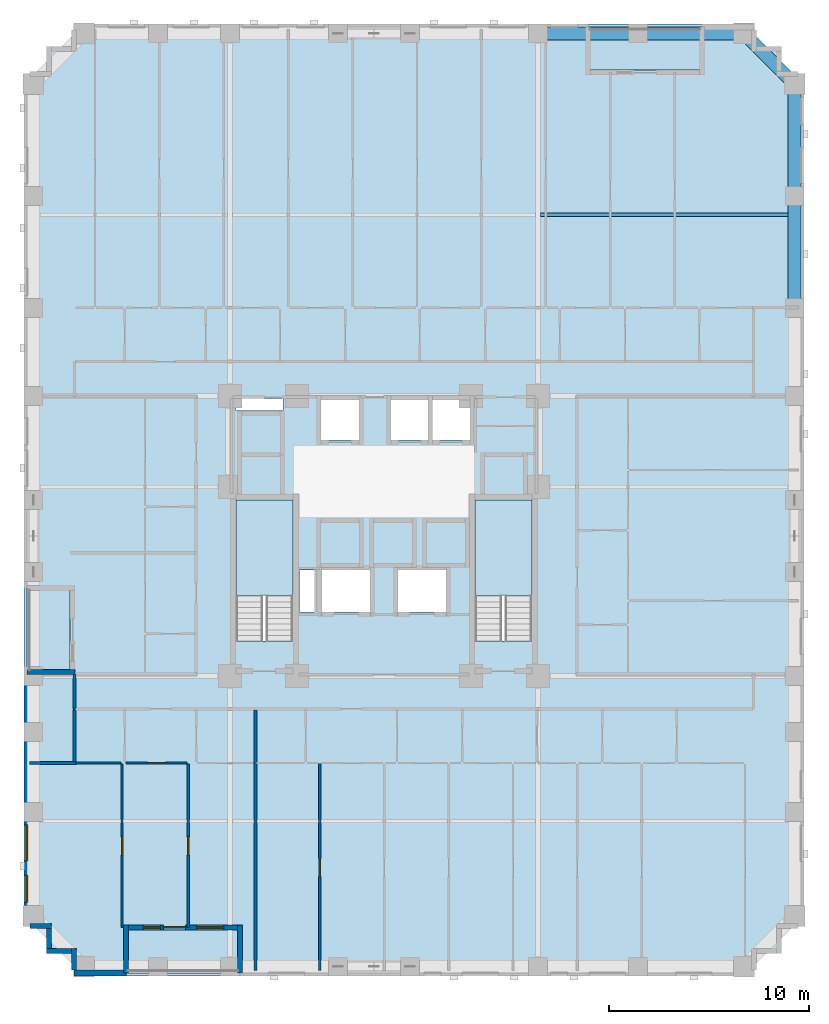
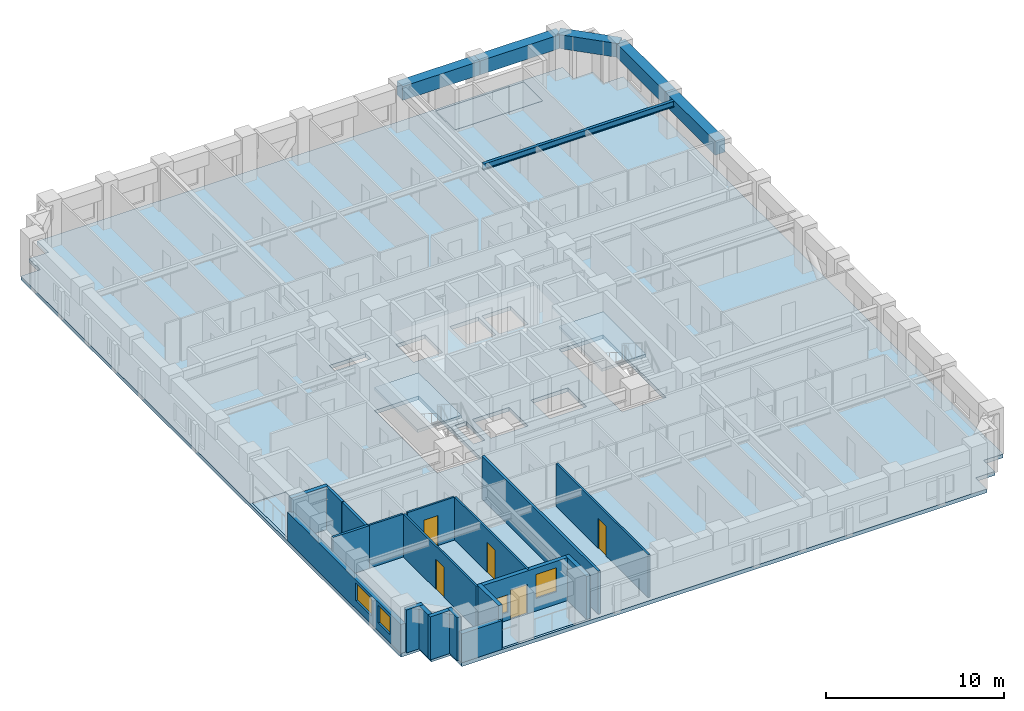
# One storey, part 2 of 14: 19 walls, 6 beams, 6 slabs, 5 doors, 4 windows, 9 openings, 2 elements without a shape of their own.
"""IFC4 building model written with IfcOpenShell, lengths in metres."""

from ifc_helpers import new_model, si_unit, derived_unit, direction, frame, frame_2d, origin, origin_2d, place, context, subcontext, project, spatial, polyline, rectangle, i_section, outline, extrude, material, layer, layer_set, material_profile, profile_set, type_object, element, fill, aggregate, save


model = new_model("IFC4")

# Units and contexts
model_context = context("Model", 3, precision=1e-05, world=origin(), true_north=direction((0.0, 1.0)))
body_context = subcontext(model_context, "Body", "Model", "MODEL_VIEW")
ifc_project = project(units=[si_unit("LENGTHUNIT", "METRE"), si_unit("AREAUNIT", "SQUARE_METRE"), si_unit("VOLUMEUNIT", "CUBIC_METRE"), si_unit("PLANEANGLEUNIT", "RADIAN"), si_unit("MASSUNIT", "GRAM", prefix="KILO"), derived_unit("THERMALTRANSMITTANCEUNIT", [(si_unit("MASSUNIT", "GRAM", prefix="KILO"), 1), (si_unit("TIMEUNIT", "SECOND"), -3), (si_unit("THERMODYNAMICTEMPERATUREUNIT", "KELVIN"), -1)])], contexts=[model_context])

# Site, building, storey
site_placement = place(None, origin())
site = spatial("IfcSite", under=ifc_project, at=site_placement, CompositionType="ELEMENT")
building_placement = place(site_placement, origin())
building = spatial("IfcBuilding", under=site, at=building_placement, Name="Korrvale Station Residences", CompositionType="ELEMENT")
storey_placement = place(building_placement, frame((0.0, 0.0, 38.60009765625)))
storey = spatial("IfcBuildingStorey", under=building, at=storey_placement, Name="L09", CompositionType="ELEMENT", Elevation=38.60009765625)

# Beams
ifc_material_1 = material(Name="Steel S355", Category="steel")
ifc_material_profile_1 = material_profile(ifc_material_1, i_section(OverallWidth=0.180908203125, OverallDepth=0.4169921875, WebThickness=0.010986328125, FlangeThickness=0.018310546875, FilletRadius=0.01611328125, at=origin_2d()), Name="W410x85")
ifc_profile_set_1 = profile_set([ifc_material_profile_1], Name="Steel S355")
beam_type_1 = type_object("IfcBeamType", Name="BM-JST-W410x85-S355", PredefinedType="JOIST", material=ifc_profile_set_1)
beam_1_placement = place(storey_placement, frame((33.333984375, 38.06005859375, 2.7314453125), z_axis=(1.0, 0.0, 0.0), x_axis=(0.0, 1.0, 0.0)))
element("IfcBeam", 1, at=beam_1_placement, inside=storey, type_object=beam_type_1, Name="L09 Floor Framing Joist 06", PredefinedType="JOIST", context=body_context, shape_type="SweptSolid", body=[
    extrude(i_section(OverallWidth=0.180908203125, OverallDepth=0.4169921875, WebThickness=0.010986328125, FlangeThickness=0.018310546875, FilletRadius=0.01611328125, at=origin_2d()), origin(), (0.0, 0.0, 1.0), 12.361083984375),
])
ifc_material_2 = material(Name="Concrete C70/85", Category="concrete")
ifc_material_profile_2 = material_profile(ifc_material_2, rectangle(XDim=0.64990234375, YDim=0.949951171875, at=origin_2d()), Name="RCB650x950")
ifc_profile_set_2 = profile_set([ifc_material_profile_2], Name="Concrete C70/85")
beam_type_2 = type_object("IfcBeamType", Name="BM-SPB-RCB650x950-C7085", PredefinedType="SPANDREL", material=ifc_profile_set_2)
beam_2_placement = place(storey_placement, frame((33.199951171875, 47.1201171875, 2.46484375), z_axis=(1.0, 0.0, 0.0), x_axis=(0.0, 1.0, 0.0)))
element("IfcBeam", 2, at=beam_2_placement, inside=storey, type_object=beam_type_2, Name="L09 North Tube Spandrel 13", PredefinedType="SPANDREL", context=body_context, shape_type="SweptSolid", body=[
    extrude(rectangle(XDim=0.64990234375, YDim=0.949951171875, at=origin_2d()), origin(), (0.0, 0.0, 1.0), 5.0),
])
beam_3_placement = place(storey_placement, frame((38.199951171875, 47.1201171875, 2.46484375), z_axis=(1.0, 0.0, 0.0), x_axis=(0.0, 1.0, 0.0)))
element("IfcBeam", 3, at=beam_3_placement, inside=storey, type_object=beam_type_2, Name="L09 North Tube Spandrel 14", PredefinedType="SPANDREL", context=body_context, shape_type="SweptSolid", body=[
    extrude(rectangle(XDim=0.64990234375, YDim=0.949951171875, at=origin_2d()), origin(), (0.0, 0.0, 1.0), 5.300048828125),
])
for number, where, z_axis, x_axis, name in (
    (4, (46.02001953125, 33.39990234375, 2.46484375), (0.0, 1.0, 0.0), (-1.0, 0.0, 0.0), "L09 East Tube Spandrel 31"),
    (5, (46.02001953125, 39.0, 2.46484375), (0.0, 1.0, 0.0), (-1.0, 0.0, 0.0), "L09 East Tube Spandrel 32"),
):
    element("IfcBeam", number, at=place(storey_placement, frame(where, z_axis=z_axis, x_axis=x_axis)), inside=storey, type_object=beam_type_2, Name=name, PredefinedType="SPANDREL", context=body_context, shape_type="SweptSolid", body=[
        extrude(rectangle(XDim=0.64990234375, YDim=0.949951171875, at=origin_2d()), origin(), (0.0, 0.0, 1.0), 5.60009765625),
    ])
beam_4_placement = place(storey_placement, frame((43.5, 47.1201171875, 2.46484375), z_axis=(0.707106781187, -0.707106781187, 0.0), x_axis=(0.707106781187, 0.707106781187, 0.0)))
element("IfcBeam", 6, at=beam_4_placement, inside=storey, type_object=beam_type_2, Name="L09 Serrated Corner Spandrel 35", PredefinedType="SPANDREL", context=body_context, shape_type="SweptSolid", body=[
    extrude(rectangle(XDim=0.64990234375, YDim=0.949951171875, at=origin_2d()), origin(), (0.0, 0.0, 1.0), 3.56396484375),
])

# Slabs
ifc_material_3 = material(Name="Concrete C50/60", Category="concrete")
ifc_layer_1 = layer(ifc_material_3, 0.219970703125, Name="Concrete C50/60")
ifc_layer_set_1 = layer_set([ifc_layer_1], Name="Concrete C50/60")
slab_type_1 = type_object("IfcSlabType", Name="SLB-BAL-220", PredefinedType="FLOOR", material=ifc_layer_set_1)
slab_1_placement = place(storey_placement, frame((0.0, 0.0, -0.22021484375)))
element("IfcSlab", 7, at=slab_1_placement, inside=storey, type_object=slab_type_1, Name="L09 Recessed Loggia Balcony Slab BAL-L09-S1", PredefinedType="FLOOR", context=body_context, shape_type="SweptSolid", body=[
    extrude(outline(polyline([(12.60009765625, 0.14990234375), (18.300048828125, 0.14990234375), (18.300048828125, 2.300048828125), (12.60009765625, 2.300048828125), (12.60009765625, 0.14990234375)])), origin(), (0.0, 0.0, 1.0), 0.22021484375),
])
slab_2_placement = place(storey_placement, frame((0.0, 0.0, -0.22021484375)))
element("IfcSlab", 8, at=slab_2_placement, inside=storey, type_object=slab_type_1, Name="L09 Recessed Loggia Balcony Slab BAL-L09-N1", PredefinedType="FLOOR", context=body_context, shape_type="SweptSolid", body=[
    extrude(outline(polyline([(35.699951171875, 45.300048828125), (41.39990234375, 45.300048828125), (41.39990234375, 47.449951171875), (35.699951171875, 47.449951171875), (35.699951171875, 45.300048828125)])), origin(), (0.0, 0.0, 1.0), 0.22021484375),
])
slab_3_placement = place(storey_placement, frame((0.0, 0.0, -0.22021484375)))
element("IfcSlab", 9, at=slab_3_placement, inside=storey, type_object=slab_type_1, Name="L09 Recessed Loggia Balcony Slab BAL-L09-W1", PredefinedType="FLOOR", context=body_context, shape_type="SweptSolid", body=[
    extrude(outline(polyline([(7.64990234375, 15.199951171875), (9.800048828125, 15.199951171875), (9.800048828125, 19.39990234375), (7.64990234375, 19.39990234375), (7.64990234375, 15.199951171875)])), origin(), (0.0, 0.0, 1.0), 0.22021484375),
])
ifc_layer_2 = layer(ifc_material_3, 0.260009765625, Name="Concrete C50/60")
ifc_layer_set_2 = layer_set([ifc_layer_2], Name="Concrete C50/60")
slab_type_2 = type_object("IfcSlabType", Name="SLB-FLR-260", PredefinedType="FLOOR", material=ifc_layer_set_2)
slab_4_placement = place(storey_placement, frame((0.0, 0.0, -0.260009765625)))
element("IfcSlab", 10, at=slab_4_placement, inside=storey, type_object=slab_type_2, Name="L09 Suspended Structural Floor Slab", PredefinedType="FLOOR", context=body_context, shape_type="SweptSolid", body=[
    extrude(outline(polyline([(10.0, 0.0), (44.0, 0.0), (44.0, 1.25), (45.25, 1.25), (45.25, 2.5), (46.5, 2.5), (46.5, 45.10009765625), (45.25, 45.10009765625), (45.25, 46.35009765625), (44.0, 46.35009765625), (44.0, 47.60009765625), (10.0, 47.60009765625), (10.0, 46.35009765625), (8.75, 46.35009765625), (8.75, 45.10009765625), (7.5, 45.10009765625), (7.5, 2.5), (8.75, 2.5), (8.75, 1.25), (10.0, 1.25), (10.0, 0.0)]), holes=[polyline([(20.949951171875, 16.751953125), (20.949951171875, 23.800048828125), (18.10009765625, 23.800048828125), (18.10009765625, 16.751953125), (20.949951171875, 16.751953125)]), polyline([(32.89990234375, 16.751953125), (32.89990234375, 23.800048828125), (30.050048828125, 23.800048828125), (30.050048828125, 16.751953125), (32.89990234375, 16.751953125)]), polyline([(22.35009765625, 26.800048828125), (24.25, 26.800048828125), (24.25, 28.800048828125), (22.35009765625, 28.800048828125), (22.35009765625, 26.800048828125)]), polyline([(25.85009765625, 26.800048828125), (27.7099609375, 26.800048828125), (27.7099609375, 28.800048828125), (25.85009765625, 28.800048828125), (25.85009765625, 26.800048828125)]), polyline([(27.929931640625, 26.800048828125), (29.7900390625, 26.800048828125), (29.7900390625, 28.800048828125), (27.929931640625, 28.800048828125), (27.929931640625, 26.800048828125)]), polyline([(22.39990234375, 18.199951171875), (24.800048828125, 18.199951171875), (24.800048828125, 20.300048828125), (22.39990234375, 20.300048828125), (22.39990234375, 18.199951171875)]), polyline([(26.199951171875, 18.199951171875), (28.60009765625, 18.199951171875), (28.60009765625, 20.300048828125), (26.199951171875, 20.300048828125), (26.199951171875, 18.199951171875)]), polyline([(18.10009765625, 28.280029296875), (20.449951171875, 28.280029296875), (20.449951171875, 28.8798828125), (18.10009765625, 28.8798828125), (18.10009765625, 28.280029296875)]), polyline([(21.280029296875, 18.199951171875), (22.02001953125, 18.199951171875), (22.02001953125, 20.300048828125), (21.280029296875, 20.300048828125), (21.280029296875, 18.199951171875)]), polyline([(12.60009765625, 0.14990234375), (18.300048828125, 0.14990234375), (18.300048828125, 2.300048828125), (12.60009765625, 2.300048828125), (12.60009765625, 0.14990234375)]), polyline([(35.699951171875, 45.300048828125), (41.39990234375, 45.300048828125), (41.39990234375, 47.449951171875), (35.699951171875, 47.449951171875), (35.699951171875, 45.300048828125)]), polyline([(7.64990234375, 15.199951171875), (9.800048828125, 15.199951171875), (9.800048828125, 19.39990234375), (7.64990234375, 19.39990234375), (7.64990234375, 15.199951171875)])]), origin(), (0.0, 0.0, 1.0), 0.260009765625),
])

# Stair, slab
stair_type = type_object("IfcStairType", Name="STR-DL-1350-18R-1778", PredefinedType="HALF_TURN_STAIR", material=ifc_material_3)
stair_1_placement = place(storey_placement, origin())
stair_1 = element("IfcStair", 11, at=stair_1_placement, inside=storey, type_object=stair_type, Name="L09 Exit Stair 1", PredefinedType="HALF_TURN_STAIR")
ifc_layer_3 = layer(ifc_material_3, 0.199951171875, Name="Concrete C50/60")
ifc_layer_set_3 = layer_set([ifc_layer_3], Name="Concrete C50/60")
slab_type_3 = type_object("IfcSlabType", Name="SLB-LND-200", PredefinedType="LANDING", material=ifc_layer_set_3)
slab_5_placement = place(storey_placement, frame((0.0, 0.0, 1.39990234375)))
slab_5 = element("IfcSlab", 12, at=slab_5_placement, type_object=slab_type_3, Name="ST-1 landing 1", PredefinedType="LANDING", context=body_context, shape_type="SweptSolid", body=[
    extrude(outline(polyline([(20.949951171875, 18.989990234375), (20.949951171875, 23.800048828125), (18.10009765625, 23.800048828125), (18.10009765625, 18.989990234375), (20.949951171875, 18.989990234375)])), origin(), (0.0, 0.0, 1.0), 0.199951171875),
])
aggregate(stair_1, [slab_5])

stair_2_placement = place(storey_placement, origin())
stair_2 = element("IfcStair", 13, at=stair_2_placement, inside=storey, type_object=stair_type, Name="L09 Exit Stair 2", PredefinedType="HALF_TURN_STAIR")
slab_6_placement = place(storey_placement, frame((0.0, 0.0, 1.39990234375)))
slab_6 = element("IfcSlab", 14, at=slab_6_placement, type_object=slab_type_3, Name="ST-2 landing 1", PredefinedType="LANDING", context=body_context, shape_type="SweptSolid", body=[
    extrude(outline(polyline([(32.89990234375, 18.989990234375), (32.89990234375, 23.800048828125), (30.050048828125, 23.800048828125), (30.050048828125, 18.989990234375), (32.89990234375, 18.989990234375)])), origin(), (0.0, 0.0, 1.0), 0.199951171875),
])
aggregate(stair_2, [slab_6])

# Wall
ifc_material_4 = material(Name="Precast concrete C45/55", Category="concrete")
ifc_layer_4 = layer(ifc_material_4, 0.260009765625, Name="Precast concrete C45/55")
ifc_layer_set_4 = layer_set([ifc_layer_4], Name="Precast concrete C45/55")
wall_type_1 = type_object("IfcWallType", Name="WAL-EXT-LOG260", PredefinedType="SOLIDWALL", material=ifc_layer_set_4)
wall_1_placement = place(storey_placement, frame((18.300048828125, 0.159912109375, 0.0), z_axis=(0.0, 0.0, 1.0), x_axis=(0.0, 1.0, 0.0)))
element("IfcWall", 15, at=wall_1_placement, inside=storey, type_object=wall_type_1, Name="L09 Recessed Loggia Wall BAL-L09-S1-L", PredefinedType="SOLIDWALL", context=body_context, shape_type="SweptSolid", body=[
    extrude(rectangle(XDim=2.400146484375, YDim=0.260009765625, at=frame_2d((1.2001953125, 0.0))), origin(), (0.0, 0.0, 1.0), 2.93994140625),
])

# Wall, openings, door, windows
wall_2_placement = place(storey_placement, frame((18.166015625, 2.429931640625, 0.0), z_axis=(0.0, 0.0, 1.0), x_axis=(-1.0, 0.0, 0.0)))
wall_2 = element("IfcWall", 16, at=wall_2_placement, inside=storey, type_object=wall_type_1, Name="L09 Recessed Loggia Wall BAL-L09-S1-B", PredefinedType="SOLIDWALL", context=body_context, shape_type="SweptSolid", body=[
    extrude(rectangle(XDim=5.43212890625, YDim=0.260009765625, at=frame_2d((2.716064453125, 0.0))), origin(), (0.0, 0.0, 1.0), 2.93994140625),
])
opening_1_placement = place(wall_2_placement, frame((2.591064453125, 0.0, 0.0)))
opening_1 = element("IfcOpeningElement", 17, at=opening_1_placement, cuts=wall_2, Name="Opening BD-01", PredefinedType="OPENING", context=body_context, shape_type="SweptSolid", body=[
    extrude(rectangle(XDim=1.10009765625, YDim=2.0, at=frame_2d((0.550048828125, 1.0))), frame((0.0, 0.14013671875, 0.0), z_axis=(0.0, -1.0, 0.0), x_axis=(1.0, 0.0, 0.0)), (0.0, 0.0, 1.0), 0.280029296875),
])
opening_2_placement = place(wall_2_placement, frame((3.85107421875, 0.0, 0.550048828125)))
opening_2 = element("IfcOpeningElement", 18, at=opening_2_placement, cuts=wall_2, Name="Opening W-11", PredefinedType="OPENING", context=body_context, shape_type="SweptSolid", body=[
    extrude(rectangle(XDim=0.85009765625, YDim=1.199951171875, at=frame_2d((0.425048828125, 0.60009765625))), frame((0.0, 0.14013671875, 0.0), z_axis=(0.0, -1.0, 0.0), x_axis=(1.0, 0.0, 0.0)), (0.0, 0.0, 1.0), 0.280029296875),
])
opening_3_placement = place(wall_2_placement, frame((0.68310546875, 0.0, 0.85009765625)))
opening_3 = element("IfcOpeningElement", 19, at=opening_3_placement, cuts=wall_2, Name="Opening W-06", PredefinedType="OPENING", context=body_context, shape_type="SweptSolid", body=[
    extrude(rectangle(XDim=1.35009765625, YDim=1.64990234375, at=frame_2d((0.675048828125, 0.824951171875))), frame((0.0, 0.14013671875, 0.0), z_axis=(0.0, -1.0, 0.0), x_axis=(1.0, 0.0, 0.0)), (0.0, 0.0, 1.0), 0.280029296875),
])
ifc_material_5 = material(Name="Exterior thermally broken aluminium glazed balcony door", Category="aluminium")
door_type_1 = type_object("IfcDoorType", Name="DR-EXT-BAL", OperationType="NOTDEFINED", PredefinedType="DOOR", material=ifc_material_5)
door_1_placement = place(opening_1_placement, origin())
door_1 = element("IfcDoor", 20, at=door_1_placement, inside=storey, type_object=door_type_1, Name="L09 Loggia Balcony Door BAL-L09-S1", OperationType="SINGLE_SWING_RIGHT", OverallHeight=2.0, OverallWidth=1.10009765625, PredefinedType="DOOR", context=body_context, shape_type="SweptSolid", body=[
    extrude(rectangle(XDim=1.10009765625, YDim=2.0, at=frame_2d((0.550048828125, 1.0))), frame((0.0, 0.02490234375, 0.0), z_axis=(0.0, -1.0, 0.0), x_axis=(1.0, 0.0, 0.0)), (0.0, 0.0, 1.0), 0.050048828125),
])
fill(opening_1, door_1)
ifc_material_6 = material(Name="Thermally broken aluminium frame with triple low-e glazing", Category="aluminium")
window_type_1 = type_object("IfcWindowType", Name="WIN-W06", PartitioningType="SINGLE_PANEL", PredefinedType="WINDOW", material=ifc_material_6)
window_1_placement = place(opening_3_placement, origin())
window_1 = element("IfcWindow", 21, at=window_1_placement, inside=storey, type_object=window_type_1, Name="L09 Punched Window 04", OverallHeight=1.64990234375, OverallWidth=1.35009765625, PartitioningType="SINGLE_PANEL", PredefinedType="WINDOW", context=body_context, shape_type="SweptSolid", body=[
    extrude(rectangle(XDim=1.35009765625, YDim=1.64990234375, at=frame_2d((0.675048828125, 0.824951171875))), frame((0.0, 0.030029296875, 0.0), z_axis=(0.0, -1.0, 0.0), x_axis=(1.0, 0.0, 0.0)), (0.0, 0.0, 1.0), 0.06005859375),
])
fill(opening_3, window_1)
window_type_2 = type_object("IfcWindowType", Name="WIN-W11", PartitioningType="SINGLE_PANEL", PredefinedType="WINDOW", material=ifc_material_6)
window_2_placement = place(opening_2_placement, origin())
window_2 = element("IfcWindow", 22, at=window_2_placement, inside=storey, type_object=window_type_2, Name="L09 Punched Window 03", OverallHeight=1.199951171875, OverallWidth=0.85009765625, PartitioningType="SINGLE_PANEL", PredefinedType="WINDOW", context=body_context, shape_type="SweptSolid", body=[
    extrude(rectangle(XDim=0.85009765625, YDim=1.199951171875, at=frame_2d((0.425048828125, 0.60009765625))), frame((0.0, 0.030029296875, 0.0), z_axis=(0.0, -1.0, 0.0), x_axis=(1.0, 0.0, 0.0)), (0.0, 0.0, 1.0), 0.06005859375),
])
fill(opening_2, window_2)

# Walls
for number, where, z_axis, x_axis, name in (
    (23, (12.60009765625, 2.56005859375, 0.0), (0.0, 0.0, 1.0), (0.0, -1.0, 0.0), "L09 Recessed Loggia Wall BAL-L09-S1-R"),
    (24, (7.659912109375, 15.199951171875, 0.0), (0.0, 0.0, 1.0), (1.0, 0.0, 0.0), "L09 Recessed Loggia Wall BAL-L09-W1-L"),
):
    element("IfcWall", number, at=place(storey_placement, frame(where, z_axis=z_axis, x_axis=x_axis)), inside=storey, type_object=wall_type_1, Name=name, PredefinedType="SOLIDWALL", context=body_context, shape_type="SweptSolid", body=[
        extrude(rectangle(XDim=2.400146484375, YDim=0.260009765625, at=frame_2d((1.2001953125, 0.0))), origin(), (0.0, 0.0, 1.0), 2.93994140625),
    ])
wall_3_placement = place(storey_placement, frame((10.0, 0.302001953125, 0.0), z_axis=(0.0, 0.0, 1.0), x_axis=(0.0, 1.0, 0.0)))
element("IfcWall", 25, at=wall_3_placement, inside=storey, type_object=wall_type_1, Name="L09 Serrated Corner Precast Step SW-1", PredefinedType="SOLIDWALL", context=body_context, shape_type="SweptSolid", body=[
    extrude(rectangle(XDim=1.077880859375, YDim=0.260009765625, at=frame_2d((0.5390625, 0.0))), origin(), (0.0, 0.0, 1.0), 2.93994140625),
])
wall_4_placement = place(storey_placement, frame((9.867919921875, 1.25, 0.0), z_axis=(0.0, 0.0, 1.0), x_axis=(-1.0, 0.0, 0.0)))
element("IfcWall", 26, at=wall_4_placement, inside=storey, type_object=wall_type_1, Name="L09 Serrated Corner Precast Step SW-2", PredefinedType="SOLIDWALL", context=body_context, shape_type="SweptSolid", body=[
    extrude(rectangle(XDim=1.247802734375, YDim=0.260009765625, at=frame_2d((0.6240234375, 0.0))), origin(), (0.0, 0.0, 1.0), 2.93994140625),
])
wall_5_placement = place(storey_placement, frame((8.75, 1.382080078125, 0.0), z_axis=(0.0, 0.0, 1.0), x_axis=(0.0, 1.0, 0.0)))
element("IfcWall", 27, at=wall_5_placement, inside=storey, type_object=wall_type_1, Name="L09 Serrated Corner Precast Step SW-3", PredefinedType="SOLIDWALL", context=body_context, shape_type="SweptSolid", body=[
    extrude(rectangle(XDim=0.98583984375, YDim=0.260009765625, at=frame_2d((0.492919921875, 0.0))), origin(), (0.0, 0.0, 1.0), 2.93994140625),
])
wall_6_placement = place(storey_placement, frame((8.8798828125, 2.5, 0.0), z_axis=(0.0, 0.0, 1.0), x_axis=(-1.0, 0.0, 0.0)))
element("IfcWall", 28, at=wall_6_placement, inside=storey, type_object=wall_type_1, Name="L09 Serrated Corner Precast Step SW-4", PredefinedType="SOLIDWALL", context=body_context, shape_type="SweptSolid", body=[
    extrude(rectangle(XDim=1.077880859375, YDim=0.260009765625, at=frame_2d((0.5390625, 0.0))), origin(), (0.0, 0.0, 1.0), 2.93994140625),
])
ifc_layer_5 = layer(ifc_material_4, 0.300048828125, Name="Precast concrete C45/55")
ifc_layer_set_5 = layer_set([ifc_layer_5], Name="Precast concrete C45/55")
wall_type_2 = type_object("IfcWallType", Name="WAL-EXT-PC300", PredefinedType="SOLIDWALL", material=ifc_layer_set_5)
wall_7_placement = place(storey_placement, frame((12.60009765625, 0.14990234375, 0.0), z_axis=(0.0, 0.0, 1.0), x_axis=(-1.0, 0.0, 0.0)))
element("IfcWall", 29, at=wall_7_placement, inside=storey, type_object=wall_type_2, Name="L09 South Exterior Precast Wall 2", PredefinedType="SOLIDWALL", context=body_context, shape_type="SweptSolid", body=[
    extrude(rectangle(XDim=2.60009765625, YDim=0.300048828125, at=frame_2d((1.300048828125, 0.0))), origin(), (0.0, 0.0, 1.0), 1.974853515625),
])

# Wall, openings, windows
wall_8_placement = place(storey_placement, frame((7.64990234375, 2.5, 0.0), z_axis=(0.0, 0.0, 1.0), x_axis=(0.0, 1.0, 0.0)))
wall_8 = element("IfcWall", 30, at=wall_8_placement, inside=storey, type_object=wall_type_2, Name="L09 West Exterior Precast Wall 1", PredefinedType="SOLIDWALL", context=body_context, shape_type="SweptSolid", body=[
    extrude(rectangle(XDim=12.699951171875, YDim=0.300048828125, at=frame_2d((6.35009765625, 0.0))), origin(), (0.0, 0.0, 1.0), 1.974853515625),
])
opening_4_placement = place(wall_8_placement, frame((3.257080078125, 0.0, 0.550048828125)))
opening_4 = element("IfcOpeningElement", 31, at=opening_4_placement, cuts=wall_8, Name="Opening W-09", PredefinedType="OPENING", context=body_context, shape_type="SweptSolid", body=[
    extrude(rectangle(XDim=1.800048828125, YDim=1.199951171875, at=frame_2d((0.89990234375, 0.60009765625))), frame((0.0, 0.16015625, 0.0), z_axis=(0.0, -1.0, 0.0), x_axis=(1.0, 0.0, 0.0)), (0.0, 0.0, 1.0), 0.320068359375),
])
opening_5_placement = place(wall_8_placement, frame((1.18505859375, 0.0, 0.550048828125)))
opening_5 = element("IfcOpeningElement", 32, at=opening_5_placement, cuts=wall_8, Name="Opening W-10", PredefinedType="OPENING", context=body_context, shape_type="SweptSolid", body=[
    extrude(rectangle(XDim=1.35009765625, YDim=1.199951171875, at=frame_2d((0.675048828125, 0.60009765625))), frame((0.0, 0.16015625, 0.0), z_axis=(0.0, -1.0, 0.0), x_axis=(1.0, 0.0, 0.0)), (0.0, 0.0, 1.0), 0.320068359375),
])
window_type_3 = type_object("IfcWindowType", Name="WIN-W09", PartitioningType="DOUBLE_PANEL_VERTICAL", PredefinedType="WINDOW", material=ifc_material_6)
window_3_placement = place(opening_4_placement, origin())
window_3 = element("IfcWindow", 33, at=window_3_placement, inside=storey, type_object=window_type_3, Name="L09 Punched Window 01", OverallHeight=1.199951171875, OverallWidth=1.800048828125, PartitioningType="DOUBLE_PANEL_VERTICAL", PredefinedType="WINDOW", context=body_context, shape_type="SweptSolid", body=[
    extrude(rectangle(XDim=1.800048828125, YDim=1.199951171875, at=frame_2d((0.89990234375, 0.60009765625))), frame((0.0, 0.030029296875, 0.0), z_axis=(0.0, -1.0, 0.0), x_axis=(1.0, 0.0, 0.0)), (0.0, 0.0, 1.0), 0.06005859375),
])
fill(opening_4, window_3)
window_type_4 = type_object("IfcWindowType", Name="WIN-W10", PartitioningType="SINGLE_PANEL", PredefinedType="WINDOW", material=ifc_material_6)
window_4_placement = place(opening_5_placement, origin())
window_4 = element("IfcWindow", 34, at=window_4_placement, inside=storey, type_object=window_type_4, Name="L09 Punched Window 02", OverallHeight=1.199951171875, OverallWidth=1.35009765625, PartitioningType="SINGLE_PANEL", PredefinedType="WINDOW", context=body_context, shape_type="SweptSolid", body=[
    extrude(rectangle(XDim=1.35009765625, YDim=1.199951171875, at=frame_2d((0.675048828125, 0.60009765625))), frame((0.0, 0.030029296875, 0.0), z_axis=(0.0, -1.0, 0.0), x_axis=(1.0, 0.0, 0.0)), (0.0, 0.0, 1.0), 0.06005859375),
])
fill(opening_5, window_4)

# Wall
ifc_material_7 = material(Name="Acoustic steel-stud gypsum board partition", Category="steel")
ifc_layer_6 = layer(ifc_material_7, 0.1201171875, Name="Acoustic steel-stud gypsum board partition")
ifc_layer_set_6 = layer_set([ifc_layer_6], Name="Acoustic steel-stud gypsum board partition")
wall_type_3 = type_object("IfcWallType", Name="WAL-PART-125", PredefinedType="PARTITIONING", material=ifc_layer_set_6)
wall_9_placement = place(storey_placement, frame((10.080078125, 10.64990234375, 0.0), z_axis=(0.0, 0.0, 1.0), x_axis=(1.0, 0.0, 0.0)))
element("IfcWall", 35, at=wall_9_placement, inside=storey, type_object=wall_type_3, Name="L09 Suite Partition U01-H03", PredefinedType="PARTITIONING", context=body_context, shape_type="SweptSolid", body=[
    extrude(rectangle(XDim=2.260009765625, YDim=0.1201171875, at=frame_2d((1.1298828125, 0.0))), origin(), (0.0, 0.0, 1.0), 2.93994140625),
])

# Wall, opening, door
wall_10_placement = place(storey_placement, frame((12.60009765625, 10.64990234375, 0.0), z_axis=(0.0, 0.0, 1.0), x_axis=(1.0, 0.0, 0.0)))
wall_10 = element("IfcWall", 36, at=wall_10_placement, inside=storey, type_object=wall_type_3, Name="L09 Suite Partition U01-H14", PredefinedType="PARTITIONING", context=body_context, shape_type="SweptSolid", body=[
    extrude(rectangle(XDim=3.054931640625, YDim=0.1201171875, at=frame_2d((1.52734375, 0.0))), origin(), (0.0, 0.0, 1.0), 2.93994140625),
])
opening_6_placement = place(wall_10_placement, frame((1.076904296875, 0.0, 0.0)))
opening_6 = element("IfcOpeningElement", 37, at=opening_6_placement, cuts=wall_10, Name="Opening DI-900", PredefinedType="OPENING", context=body_context, shape_type="SweptSolid", body=[
    extrude(rectangle(XDim=0.89990234375, YDim=2.050048828125, at=frame_2d((0.449951171875, 1.02490234375))), frame((0.0, 0.070068359375, 0.0), z_axis=(0.0, -1.0, 0.0), x_axis=(1.0, 0.0, 0.0)), (0.0, 0.0, 1.0), 0.14013671875),
])
ifc_material_8 = material(Name="Painted solid-core timber interior room door", Category="wood")
door_type_2 = type_object("IfcDoorType", Name="DR-INT-900", OperationType="NOTDEFINED", PredefinedType="DOOR", material=ifc_material_8)
door_2_placement = place(opening_6_placement, origin())
door_2 = element("IfcDoor", 38, at=door_2_placement, inside=storey, type_object=door_type_2, Name="L09 Apartment 2BR L09-U01 Kitchen Door", OperationType="SINGLE_SWING_RIGHT", OverallHeight=2.050048828125, OverallWidth=0.89990234375, PredefinedType="DOOR", context=body_context, shape_type="SweptSolid", body=[
    extrude(rectangle(XDim=0.89990234375, YDim=2.050048828125, at=frame_2d((0.449951171875, 1.02490234375))), frame((0.0, 0.02490234375, 0.0), z_axis=(0.0, -1.0, 0.0), x_axis=(1.0, 0.0, 0.0)), (0.0, 0.0, 1.0), 0.050048828125),
])
fill(opening_6, door_2)

wall_11_placement = place(storey_placement, frame((12.39990234375, 2.429931640625, 0.0), z_axis=(0.0, 0.0, 1.0), x_axis=(0.0, 1.0, 0.0)))
wall_11 = element("IfcWall", 39, at=wall_11_placement, inside=storey, type_object=wall_type_3, Name="L09 Suite Partition U01-V34", PredefinedType="PARTITIONING", context=body_context, shape_type="SweptSolid", body=[
    extrude(rectangle(XDim=8.16015625, YDim=0.1201171875, at=frame_2d((4.080078125, 0.0))), origin(), (0.0, 0.0, 1.0), 2.93994140625),
])
opening_7_placement = place(wall_11_placement, frame((3.6298828125, 0.0, 0.0)))
opening_7 = element("IfcOpeningElement", 40, at=opening_7_placement, cuts=wall_11, Name="Opening DI-900", PredefinedType="OPENING", context=body_context, shape_type="SweptSolid", body=[
    extrude(rectangle(XDim=0.89990234375, YDim=2.050048828125, at=frame_2d((0.449951171875, 1.02490234375))), frame((0.0, 0.070068359375, 0.0), z_axis=(0.0, -1.0, 0.0), x_axis=(1.0, 0.0, 0.0)), (0.0, 0.0, 1.0), 0.14013671875),
])
door_3_placement = place(opening_7_placement, origin())
door_3 = element("IfcDoor", 41, at=door_3_placement, inside=storey, type_object=door_type_2, Name="L09 Apartment 2BR L09-U01 Living and Dining Room Door", OperationType="SINGLE_SWING_RIGHT", OverallHeight=2.050048828125, OverallWidth=0.89990234375, PredefinedType="DOOR", context=body_context, shape_type="SweptSolid", body=[
    extrude(rectangle(XDim=0.89990234375, YDim=2.050048828125, at=frame_2d((0.449951171875, 1.02490234375))), frame((0.0, 0.02490234375, 0.0), z_axis=(0.0, -1.0, 0.0), x_axis=(1.0, 0.0, 0.0)), (0.0, 0.0, 1.0), 0.050048828125),
])
fill(opening_7, door_3)

wall_12_placement = place(storey_placement, frame((15.715087890625, 2.429931640625, 0.0), z_axis=(0.0, 0.0, 1.0), x_axis=(0.0, 1.0, 0.0)))
wall_12 = element("IfcWall", 42, at=wall_12_placement, inside=storey, type_object=wall_type_3, Name="L09 Suite Partition U01-V45", PredefinedType="PARTITIONING", context=body_context, shape_type="SweptSolid", body=[
    extrude(rectangle(XDim=8.16015625, YDim=0.1201171875, at=frame_2d((4.080078125, 0.0))), origin(), (0.0, 0.0, 1.0), 2.93994140625),
])
opening_8_placement = place(wall_12_placement, frame((3.6298828125, 0.0, 0.0)))
opening_8 = element("IfcOpeningElement", 43, at=opening_8_placement, cuts=wall_12, Name="Opening DI-900", PredefinedType="OPENING", context=body_context, shape_type="SweptSolid", body=[
    extrude(rectangle(XDim=0.89990234375, YDim=2.050048828125, at=frame_2d((0.449951171875, 1.02490234375))), frame((0.0, 0.070068359375, 0.0), z_axis=(0.0, -1.0, 0.0), x_axis=(1.0, 0.0, 0.0)), (0.0, 0.0, 1.0), 0.14013671875),
])
door_4_placement = place(opening_8_placement, origin())
door_4 = element("IfcDoor", 44, at=door_4_placement, inside=storey, type_object=door_type_2, Name="L09 Apartment 2BR L09-U01 Bedroom 1 Door", OperationType="SINGLE_SWING_LEFT", OverallHeight=2.050048828125, OverallWidth=0.89990234375, PredefinedType="DOOR", context=body_context, shape_type="SweptSolid", body=[
    extrude(rectangle(XDim=0.89990234375, YDim=2.050048828125, at=frame_2d((0.449951171875, 1.02490234375))), frame((0.0, 0.02490234375, 0.0), z_axis=(0.0, -1.0, 0.0), x_axis=(1.0, 0.0, 0.0)), (0.0, 0.0, 1.0), 0.050048828125),
])
fill(opening_8, door_4)

wall_13_placement = place(storey_placement, frame((22.2900390625, 0.280029296875, 0.0), z_axis=(0.0, 0.0, 1.0), x_axis=(0.0, 1.0, 0.0)))
wall_13 = element("IfcWall", 45, at=wall_13_placement, inside=storey, type_object=wall_type_3, Name="L09 Suite Partition U02-V78", PredefinedType="PARTITIONING", context=body_context, shape_type="SweptSolid", body=[
    extrude(rectangle(XDim=10.31005859375, YDim=0.1201171875, at=frame_2d((5.155029296875, 0.0))), origin(), (0.0, 0.0, 1.0), 2.93994140625),
])
opening_9_placement = place(wall_13_placement, frame((4.68994140625, 0.0, 0.0)))
opening_9 = element("IfcOpeningElement", 46, at=opening_9_placement, cuts=wall_13, Name="Opening DI-900", PredefinedType="OPENING", context=body_context, shape_type="SweptSolid", body=[
    extrude(rectangle(XDim=0.89990234375, YDim=2.050048828125, at=frame_2d((0.449951171875, 1.02490234375))), frame((0.0, 0.070068359375, 0.0), z_axis=(0.0, -1.0, 0.0), x_axis=(1.0, 0.0, 0.0)), (0.0, 0.0, 1.0), 0.14013671875),
])
door_5_placement = place(opening_9_placement, origin())
door_5 = element("IfcDoor", 47, at=door_5_placement, inside=storey, type_object=door_type_2, Name="L09 Studio Apartment L09-U02 Formal Dining Room Door", OperationType="SINGLE_SWING_RIGHT", OverallHeight=2.050048828125, OverallWidth=0.89990234375, PredefinedType="DOOR", context=body_context, shape_type="SweptSolid", body=[
    extrude(rectangle(XDim=0.89990234375, YDim=2.050048828125, at=frame_2d((0.449951171875, 1.02490234375))), frame((0.0, 0.02490234375, 0.0), z_axis=(0.0, -1.0, 0.0), x_axis=(1.0, 0.0, 0.0)), (0.0, 0.0, 1.0), 0.050048828125),
])
fill(opening_9, door_5)

# Walls
ifc_material_9 = material(Name="Fire-rated twin-stud gypsum and mineral wool shaftwall assembly", Category="gypsum")
ifc_layer_7 = layer(ifc_material_9, 0.159912109375, Name="Fire-rated twin-stud gypsum and mineral wool shaftwall assembly")
ifc_layer_set_7 = layer_set([ifc_layer_7], Name="Fire-rated twin-stud gypsum and mineral wool shaftwall assembly")
wall_type_4 = type_object("IfcWallType", Name="WAL-PART-200", PredefinedType="PARTITIONING", material=ifc_layer_set_7)
wall_14_placement = place(storey_placement, frame((10.02001953125, 13.35009765625, 0.0), z_axis=(0.0, 0.0, 1.0), x_axis=(0.0, 1.0, 0.0)))
element("IfcWall", 48, at=wall_14_placement, inside=storey, type_object=wall_type_4, Name="L09 Corridor South West Cap", PredefinedType="PARTITIONING", context=body_context, shape_type="SweptSolid", body=[
    extrude(rectangle(XDim=1.739990234375, YDim=0.159912109375, at=frame_2d((0.8701171875, 0.0))), origin(), (0.0, 0.0, 1.0), 2.93994140625),
])
wall_15_placement = place(storey_placement, frame((7.780029296875, 10.64990234375, 0.0), z_axis=(0.0, 0.0, 1.0), x_axis=(1.0, 0.0, 0.0)))
element("IfcWall", 49, at=wall_15_placement, inside=storey, type_object=wall_type_4, Name="L09 Corner Step Wall U01-L", PredefinedType="PARTITIONING", context=body_context, shape_type="SweptSolid", body=[
    extrude(rectangle(XDim=2.340087890625, YDim=0.159912109375, at=frame_2d((1.169921875, 0.0))), origin(), (0.0, 0.0, 1.0), 2.93994140625),
])
wall_16_placement = place(storey_placement, frame((10.02001953125, 10.64990234375, 0.0), z_axis=(0.0, 0.0, 1.0), x_axis=(0.0, 1.0, 0.0)))
element("IfcWall", 50, at=wall_16_placement, inside=storey, type_object=wall_type_4, Name="L09 Corner Step Cheek U01-L", PredefinedType="PARTITIONING", context=body_context, shape_type="SweptSolid", body=[
    extrude(rectangle(XDim=2.66015625, YDim=0.159912109375, at=frame_2d((1.330078125, 0.0))), origin(), (0.0, 0.0, 1.0), 2.93994140625),
])
wall_17_placement = place(storey_placement, frame((19.070068359375, 0.280029296875, 0.0), z_axis=(0.0, 0.0, 1.0), x_axis=(0.0, 1.0, 0.0)))
element("IfcWall", 51, at=wall_17_placement, inside=storey, type_object=wall_type_4, Name="L09 Demising Wall U02-W", PredefinedType="PARTITIONING", context=body_context, shape_type="SweptSolid", body=[
    extrude(rectangle(XDim=13.030029296875, YDim=0.159912109375, at=frame_2d((6.51513671875, 0.0))), origin(), (0.0, 0.0, 1.0), 2.93994140625),
])

save(model, "model.ifc")
